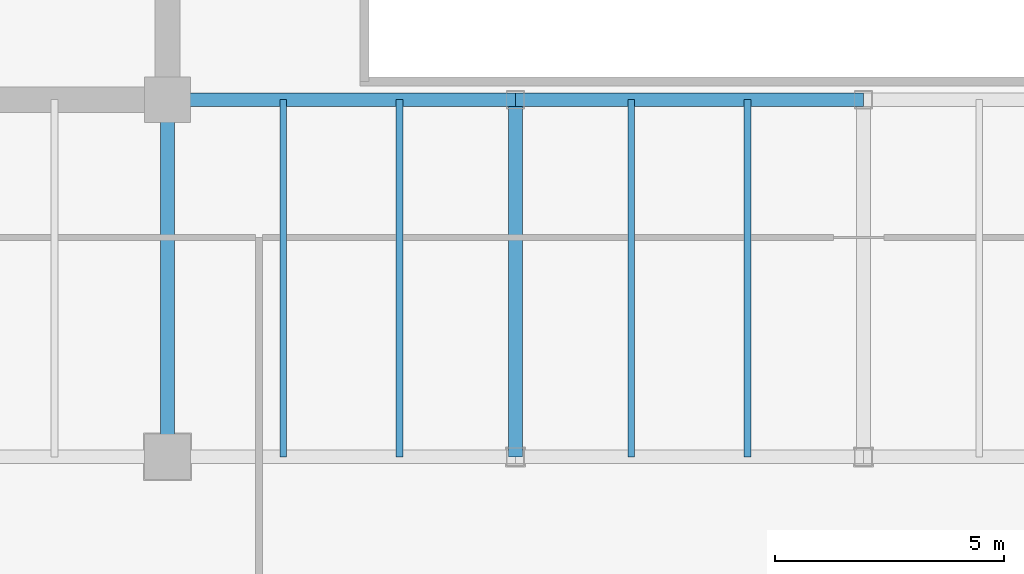
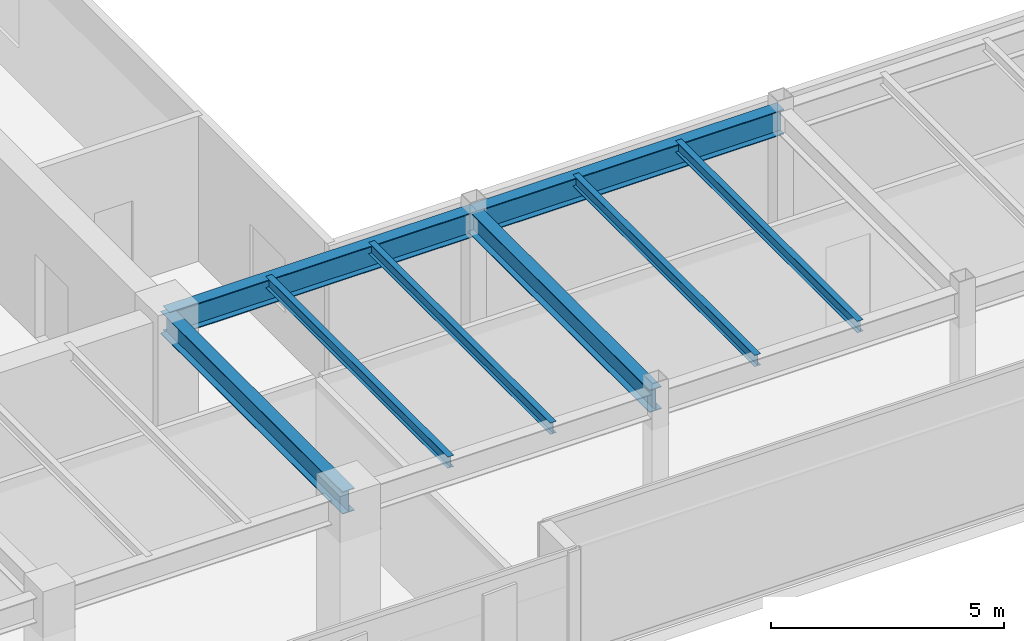
# One storey, part 8 of 35: 8 beams.
"""IFC4 building model written with IfcOpenShell, lengths in metres."""

from ifc_helpers import new_model, si_unit, direction, frame, origin, origin_2d, place, context, subcontext, project, spatial, i_section, extrude, source, transform, mapped, material, material_profile, profile_set, type_object, type_shapes, element, save


model = new_model("IFC4")

# Units and contexts
model_context = context("Model", 3, precision=1e-05, world=origin(), true_north=direction((0.0, 1.0)))
body_context = subcontext(model_context, "Body", "Model", "MODEL_VIEW")
ifc_project = project(units=[si_unit("LENGTHUNIT", "METRE"), si_unit("AREAUNIT", "SQUARE_METRE"), si_unit("VOLUMEUNIT", "CUBIC_METRE"), si_unit("PLANEANGLEUNIT", "RADIAN"), si_unit("MASSUNIT", "GRAM", prefix="KILO")], contexts=[model_context])

# Site, building, storey
site_placement = place(None, origin())
site = spatial("IfcSite", under=ifc_project, at=site_placement, CompositionType="ELEMENT")
building_placement = place(site_placement, origin())
building = spatial("IfcBuilding", under=site, at=building_placement, Name="Haelvirn Gate Laboratories", CompositionType="ELEMENT")
storey_placement = place(building_placement, frame((0.0, 0.0, 201.39990234375)))
storey = spatial("IfcBuildingStorey", under=building, at=storey_placement, Name="L48", CompositionType="ELEMENT", Elevation=201.39990234375)

# Beams
ifc_material = material(Name="Steel SM355", Category="steel")
ifc_material_profile_1 = material_profile(ifc_material, i_section(OverallWidth=0.14990234375, OverallDepth=0.300048828125, WebThickness=0.006591796875, FlangeThickness=0.009033203125, at=origin_2d()), Name="H-300x150x6.5x9")
ifc_profile_set_1 = profile_set([ifc_material_profile_1], Name="Steel SM355")
beam_type_1 = type_object("IfcBeamType", Name="BM-J-300", PredefinedType="JOIST", material=ifc_profile_set_1)
shared_shape_1 = source(origin(), body_context, "Body", "SweptSolid", [
    extrude(i_section(OverallWidth=0.14990234375, OverallDepth=0.300048828125, WebThickness=0.006591796875, FlangeThickness=0.009033203125, at=origin_2d()), origin(), (0.0, 0.0, 1.0), 7.800048828125),
])
type_shapes(beam_type_1, [shared_shape_1])
for number, where, z_axis, x_axis, name in (
    (1, (24.72998046875, 7.0, 3.650146484375), (0.0, 1.0, 0.0), (-1.0, 0.0, 0.0), "L48 Composite Lab Joist South X24.73"),
    (2, (27.27001953125, 7.0, 3.650146484375), (0.0, 1.0, 0.0), (-1.0, 0.0, 0.0), "L48 Composite Lab Joist South X27.27"),
    (3, (32.330078125, 7.0, 3.650146484375), (0.0, 1.0, 0.0), (-1.0, 0.0, 0.0), "L48 Composite Lab Joist South X32.33"),
    (4, (34.8701171875, 7.0, 3.650146484375), (0.0, 1.0, 0.0), (-1.0, 0.0, 0.0), "L48 Composite Lab Joist South X34.87"),
):
    element("IfcBeam", number, at=place(storey_placement, frame(where, z_axis=z_axis, x_axis=x_axis)), inside=storey, type_object=beam_type_1, Name=name, PredefinedType="JOIST", context=body_context, shape_type="MappedRepresentation", body=[
        mapped(shared_shape_1, transform((0.0, 0.0, 0.0), scale=1.0)),
    ])
ifc_material_profile_2 = material_profile(ifc_material, i_section(OverallWidth=0.300048828125, OverallDepth=0.587890625, WebThickness=0.011962890625, FlangeThickness=0.02001953125, at=origin_2d()), Name="H-588x300x12x20")
ifc_profile_set_2 = profile_set([ifc_material_profile_2], Name="Steel SM355")
beam_type_2 = type_object("IfcBeamType", Name="BM-G-588", PredefinedType="BEAM", material=ifc_profile_set_2)
shared_shape_2 = source(origin(), body_context, "Body", "SweptSolid", [
    extrude(i_section(OverallWidth=0.300048828125, OverallDepth=0.587890625, WebThickness=0.011962890625, FlangeThickness=0.02001953125, at=origin_2d()), origin(), (0.0, 0.0, 1.0), 7.800048828125),
])
type_shapes(beam_type_2, [shared_shape_2])
for number, where, z_axis, x_axis, name in (
    (5, (22.199951171875, 7.0, 3.506103515625), (0.0, 1.0, 0.0), (-1.0, 0.0, 0.0), "L48 Frame Girder X22.2 (7.0-14.8)"),
    (6, (29.800048828125, 7.0, 3.506103515625), (0.0, 1.0, 0.0), (-1.0, 0.0, 0.0), "L48 Frame Girder X29.8 (7.0-14.8)"),
):
    element("IfcBeam", number, at=place(storey_placement, frame(where, z_axis=z_axis, x_axis=x_axis)), inside=storey, type_object=beam_type_2, Name=name, PredefinedType="BEAM", context=body_context, shape_type="MappedRepresentation", body=[
        mapped(shared_shape_2, transform((0.0, 0.0, 0.0), scale=1.0)),
    ])
ifc_material_profile_3 = material_profile(ifc_material, i_section(OverallWidth=0.300048828125, OverallDepth=0.64990234375, WebThickness=0.012939453125, FlangeThickness=0.02197265625, at=origin_2d()), Name="H-650x300x13x22")
ifc_profile_set_3 = profile_set([ifc_material_profile_3], Name="Steel SM355")
beam_type_3 = type_object("IfcBeamType", Name="BM-G-650", PredefinedType="BEAM", material=ifc_profile_set_3)
shared_shape_3 = source(origin(), body_context, "Body", "SweptSolid", [
    extrude(i_section(OverallWidth=0.300048828125, OverallDepth=0.64990234375, WebThickness=0.012939453125, FlangeThickness=0.02197265625, at=origin_2d()), origin(), (0.0, 0.0, 1.0), 7.60009765625),
])
beam_1_placement = place(storey_placement, frame((22.199951171875, 14.800048828125, 3.47509765625), z_axis=(1.0, 0.0, 0.0), x_axis=(0.0, 1.0, 0.0)))
element("IfcBeam", 7, at=beam_1_placement, inside=storey, type_object=beam_type_3, Name="L48 Primary Girder Y14.8 (22.2-29.8)", PredefinedType="BEAM", context=body_context, shape_type="MappedRepresentation", body=[
    mapped(shared_shape_3, transform((0.0, 0.0, 0.0), scale=1.0)),
])
shared_shape_4 = source(origin(), body_context, "Body", "SweptSolid", [
    extrude(i_section(OverallWidth=0.300048828125, OverallDepth=0.64990234375, WebThickness=0.012939453125, FlangeThickness=0.02197265625, at=origin_2d()), origin(), (0.0, 0.0, 1.0), 7.599853515625),
])
type_shapes(beam_type_3, [shared_shape_3, shared_shape_4])
beam_2_placement = place(storey_placement, frame((29.800048828125, 14.800048828125, 3.47509765625), z_axis=(1.0, 0.0, 0.0), x_axis=(0.0, 1.0, 0.0)))
element("IfcBeam", 8, at=beam_2_placement, inside=storey, type_object=beam_type_3, Name="L48 Primary Girder Y14.8 (29.8-37.4)", PredefinedType="BEAM", context=body_context, shape_type="MappedRepresentation", body=[
    mapped(shared_shape_4, transform((0.0, 0.0, 0.0), scale=1.0)),
])

save(model, "model.ifc")
